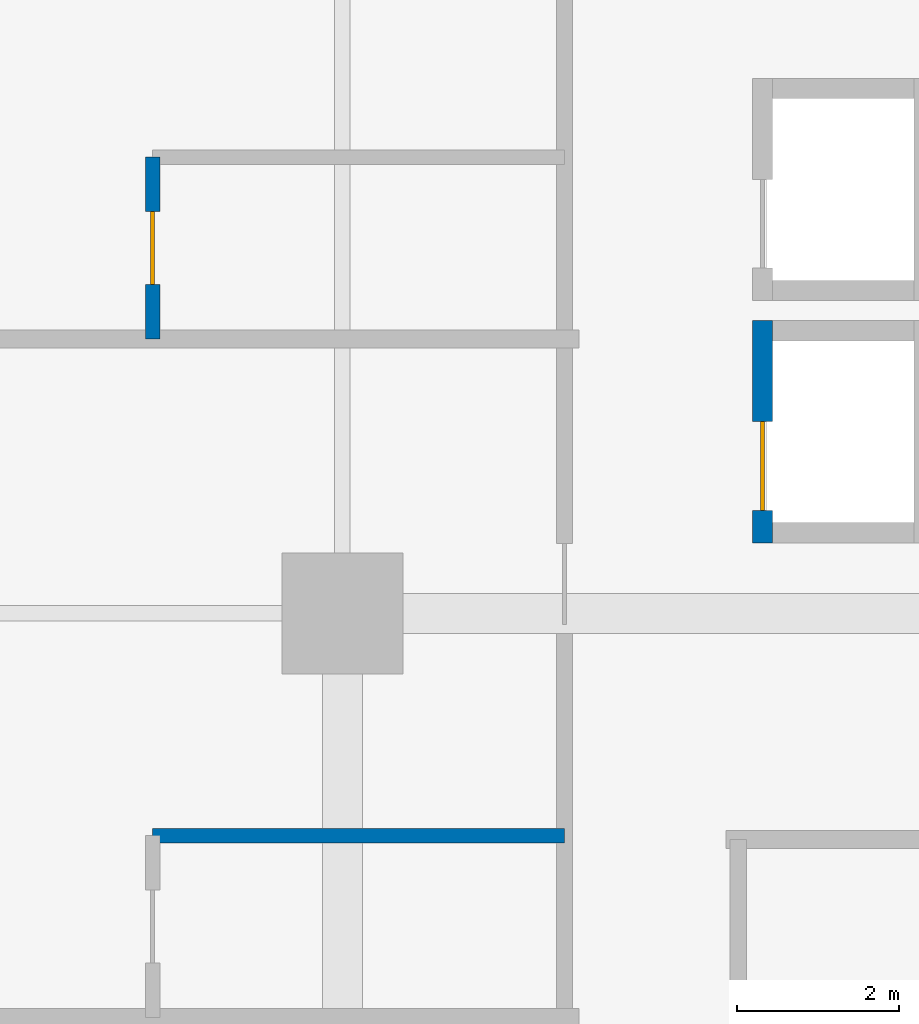
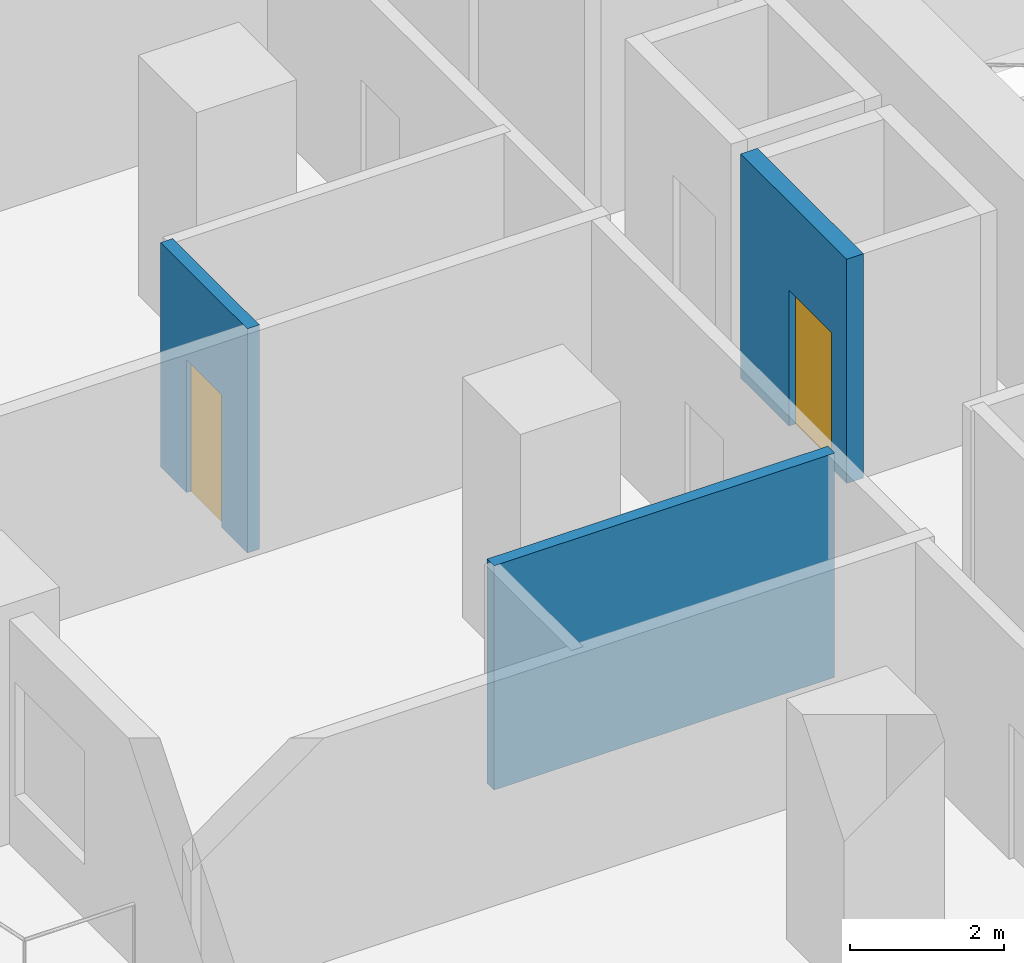
# One storey, part 9 of 20: 3 walls, 2 doors, 2 openings.
"""IFC4 building model written with IfcOpenShell, lengths in metres."""

from ifc_helpers import new_model, si_unit, direction, frame, frame_2d, origin, place, context, subcontext, project, spatial, rectangle, extrude, material, layer, layer_set, type_object, element, fill, save


model = new_model("IFC4")

# Units and contexts
model_context = context("Model", 3, precision=1e-05, world=origin(), true_north=direction((0.0, 1.0)))
body_context = subcontext(model_context, "Body", "Model", "MODEL_VIEW")
ifc_project = project(units=[si_unit("LENGTHUNIT", "METRE"), si_unit("AREAUNIT", "SQUARE_METRE"), si_unit("VOLUMEUNIT", "CUBIC_METRE"), si_unit("PLANEANGLEUNIT", "RADIAN"), si_unit("MASSUNIT", "GRAM", prefix="KILO")], contexts=[model_context])

# Site, building, storey
site_placement = place(None, origin())
site = spatial("IfcSite", under=ifc_project, at=site_placement, CompositionType="ELEMENT")
building_placement = place(site_placement, origin())
building = spatial("IfcBuilding", under=site, at=building_placement, Name="Koriwani Terraces Tower", CompositionType="ELEMENT")
storey_placement = place(building_placement, frame((0.0, 0.0, 35.800048828125)))
storey = spatial("IfcBuildingStorey", under=building, at=storey_placement, Name="L07", CompositionType="ELEMENT", Elevation=35.800048828125)

# Wall
ifc_material_1 = material(Name="Fire-Rated Acoustic Gypsum Partition", Category="masonry")
ifc_layer_1 = layer(ifc_material_1, 0.179931640625, Name="Fire-Rated Acoustic Gypsum Partition")
ifc_layer_set_1 = layer_set([ifc_layer_1], Name="Fire-Rated Acoustic Gypsum Partition")
wall_type_1 = type_object("IfcWallType", Name="WALL_PLUMBING_180", PredefinedType="PLUMBINGWALL", material=ifc_layer_set_1)
wall_1_placement = place(storey_placement, frame((6.050048828125, 39.25, 0.0), z_axis=(0.0, 0.0, 1.0), x_axis=(1.0, 0.0, 0.0)))
element("IfcWall", 1, at=wall_1_placement, inside=storey, type_object=wall_type_1, Name="L07 Interior Wall WBTH2-L07-NW-4", PredefinedType="PLUMBINGWALL", context=body_context, shape_type="SweptSolid", body=[
    extrude(rectangle(XDim=5.099853515625, YDim=0.179931640625, at=frame_2d((2.5498046875, 0.0))), origin(), (0.0, 0.0, 1.0), 3.550048828125),
])

# Wall, opening, door
wall_2_placement = place(storey_placement, frame((6.050048828125, 45.39990234375, 0.0), z_axis=(0.0, 0.0, 1.0), x_axis=(0.0, 1.0, 0.0)))
wall_2 = element("IfcWall", 2, at=wall_2_placement, inside=storey, type_object=wall_type_1, Name="L07 Interior Wall WBTH1-L07-NW-5", PredefinedType="PLUMBINGWALL", context=body_context, shape_type="SweptSolid", body=[
    extrude(rectangle(XDim=2.25, YDim=0.179931640625, at=frame_2d((1.125, 0.0))), origin(), (0.0, 0.0, 1.0), 3.550048828125),
])
opening_1_placement = place(wall_2_placement, frame((0.675048828125, 0.0, 0.0)))
opening_1 = element("IfcOpeningElement", 3, at=opening_1_placement, cuts=wall_2, Name="Opening D-07", PredefinedType="OPENING", context=body_context, shape_type="SweptSolid", body=[
    extrude(rectangle(XDim=0.89990234375, YDim=2.10009765625, at=frame_2d((0.449951171875, 1.050048828125))), frame((0.0, 0.10009765625, 0.0), z_axis=(0.0, -1.0, 0.0), x_axis=(1.0, 0.0, 0.0)), (0.0, 0.0, 1.0), 0.199951171875),
])
ifc_material_2 = material(Name="Architectural Oak Fire Door", Category="wood")
door_type_1 = type_object("IfcDoorType", Name="DOOR_BATH_INT_900X2100", OperationType="NOTDEFINED", PredefinedType="DOOR", material=ifc_material_2)
door_1_placement = place(opening_1_placement, origin())
door_1 = element("IfcDoor", 4, at=door_1_placement, inside=storey, type_object=door_type_1, Name="En-Suite Bathroom 07NW6 Door", OperationType="SINGLE_SWING_RIGHT", OverallHeight=2.10009765625, OverallWidth=0.89990234375, PredefinedType="DOOR", context=body_context, shape_type="SweptSolid", body=[
    extrude(rectangle(XDim=0.89990234375, YDim=2.10009765625, at=frame_2d((0.449951171875, 1.050048828125))), frame((0.0, 0.02490234375, 0.0), z_axis=(0.0, -1.0, 0.0), x_axis=(1.0, 0.0, 0.0)), (0.0, 0.0, 1.0), 0.050048828125),
])
fill(opening_1, door_1)

ifc_material_3 = material(Name="Concrete C40/50", Category="concrete")
ifc_layer_2 = layer(ifc_material_3, 0.25, Name="Concrete C40/50")
ifc_layer_set_2 = layer_set([ifc_layer_2], Name="Concrete C40/50")
wall_type_2 = type_object("IfcWallType", Name="WALL_SHAFT_RATED_250", PredefinedType="SOLIDWALL", material=ifc_layer_set_2)
wall_3_placement = place(storey_placement, frame((13.60009765625, 42.875, 0.0), z_axis=(0.0, 0.0, 1.0), x_axis=(0.0, 1.0, 0.0)))
wall_3 = element("IfcWall", 5, at=wall_3_placement, inside=storey, type_object=wall_type_2, Name="L07 Interior Wall WIN-LF-PE-L1-L07-F", PredefinedType="SOLIDWALL", context=body_context, shape_type="SweptSolid", body=[
    extrude(rectangle(XDim=2.75, YDim=0.25, at=frame_2d((1.375, 0.0))), origin(), (0.0, 0.0, 1.0), 3.550048828125),
])
opening_2_placement = place(wall_3_placement, frame((0.39990234375, 0.0, 0.0)))
opening_2 = element("IfcOpeningElement", 6, at=opening_2_placement, cuts=wall_3, Name="Opening LD-01", PredefinedType="OPENING", context=body_context, shape_type="SweptSolid", body=[
    extrude(rectangle(XDim=1.10009765625, YDim=2.14990234375, at=frame_2d((0.550048828125, 1.074951171875))), frame((0.0, 0.135009765625, 0.0), z_axis=(0.0, -1.0, 0.0), x_axis=(1.0, 0.0, 0.0)), (0.0, 0.0, 1.0), 0.27001953125),
])
ifc_material_4 = material(Name="Steel ASTM A572 Grade 50", Category="steel")
door_type_2 = type_object("IfcDoorType", Name="DOOR_LIFT_LANDING_1100X2200", OperationType="NOTDEFINED", PredefinedType="DOOR", material=ifc_material_4)
door_2_placement = place(opening_2_placement, origin())
door_2 = element("IfcDoor", 7, at=door_2_placement, inside=storey, type_object=door_type_2, Name="L07 Passenger Lift PE-L1 Landing Door", OperationType="SLIDING_TO_LEFT", OverallHeight=2.14990234375, OverallWidth=1.10009765625, PredefinedType="DOOR", context=body_context, shape_type="SweptSolid", body=[
    extrude(rectangle(XDim=1.10009765625, YDim=2.14990234375, at=frame_2d((0.550048828125, 1.074951171875))), frame((0.0, 0.02490234375, 0.0), z_axis=(0.0, -1.0, 0.0), x_axis=(1.0, 0.0, 0.0)), (0.0, 0.0, 1.0), 0.050048828125),
])
fill(opening_2, door_2)

save(model, "model.ifc")
